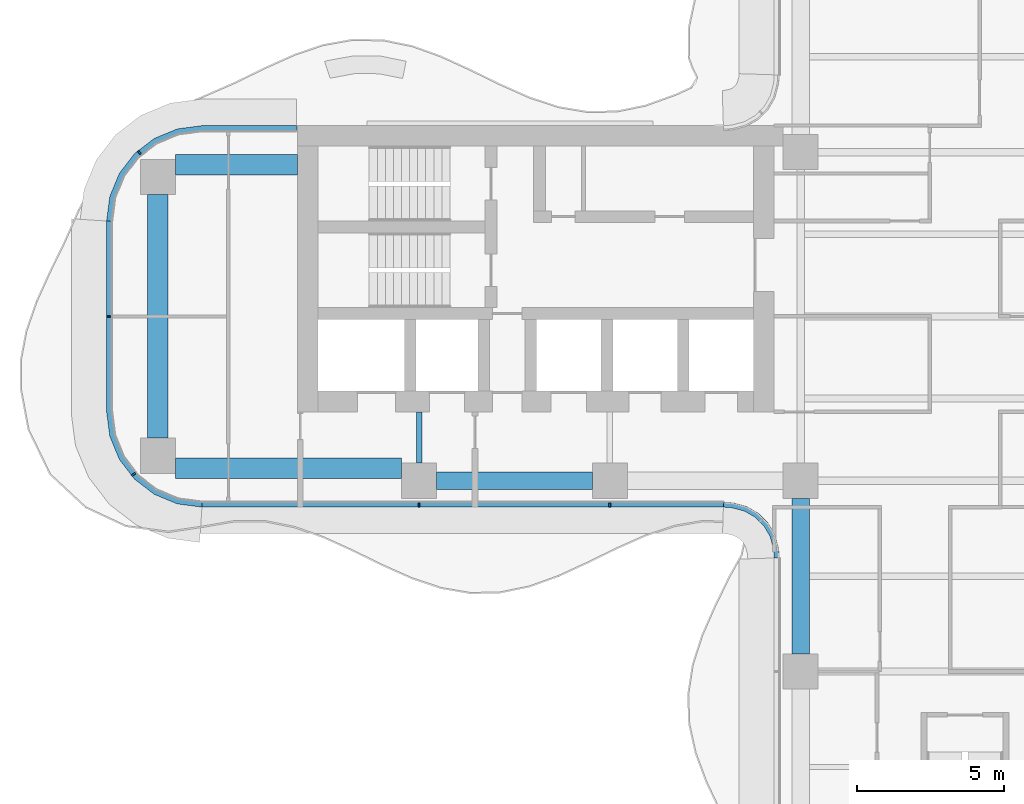
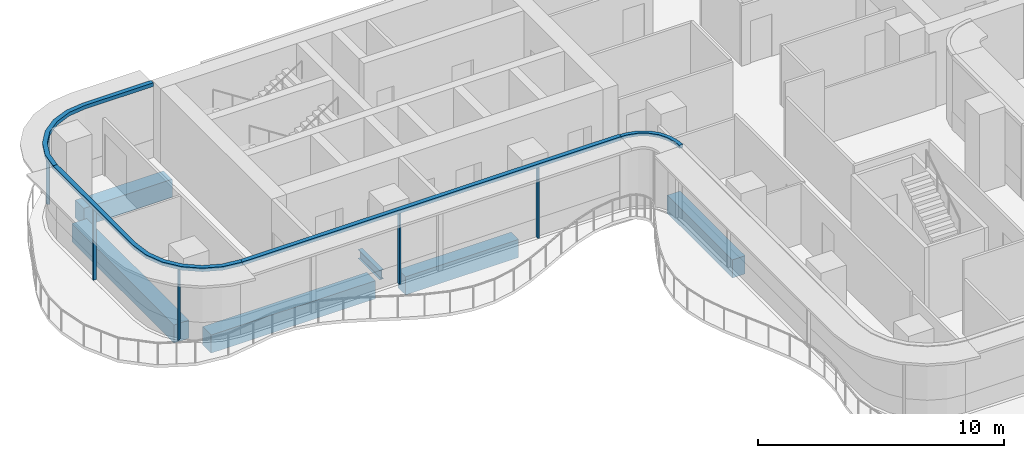
# One storey, part 3 of 17: 9 members, 6 beams, 4 elements without a shape of their own.
"""IFC4 building model written with IfcOpenShell, lengths in metres."""

import ifcopenshell
import ifcopenshell.guid

model = None  # the IFC model being written
_history = None  # IfcOwnerHistory: only IFC2X3 demands one
_inside = {}  # id of a spatial element -> (the spatial element, [elements in it])
_under = {}  # id of a project, library or spatial element -> (it, [spatial elements below it])
_declared = {}  # id of a project -> (the project, [libraries it declares])
_typed = {}  # id of a type object -> (the type object, [elements of that type])
_made_of = {}  # id of a material, layer set ... -> (it, [elements and type objects made of it])


def new_model(schema):
    """Start an empty IFC model of exactly this schema.

    Asked for "IFC4X3", IfcOpenShell would pick the latest addendum, in which some entities
    have other attributes; the version numbers below select the first issue.
    IFC2X3 requires an IfcOwnerHistory on every rooted entity: one is made here for all.
    """
    global model, _history
    if schema == "IFC4X3":
        model = ifcopenshell.file(schema_version=(4, 3, 0, 0))
    else:
        model = ifcopenshell.file(schema=schema)
    _inside.clear()
    _under.clear()
    _declared.clear()
    _typed.clear()
    _made_of.clear()
    _history = None
    if model.schema == "IFC2X3":
        org = make("IfcOrganization", Name="unknown")
        user = make(
            "IfcPersonAndOrganization",
            ThePerson=make("IfcPerson", FamilyName="unknown"),
            TheOrganization=org,
        )
        app = make(
            "IfcApplication",
            ApplicationDeveloper=org,
            Version="unknown",
            ApplicationFullName="unknown",
            ApplicationIdentifier="unknown",
        )
        _history = make(
            "IfcOwnerHistory",
            OwningUser=user,
            OwningApplication=app,
            ChangeAction="ADDED",
            CreationDate=0,
        )
    return model


def make(cls, **values):
    """One entity of the class cls with the attributes given. An attribute that is None is left unset."""
    return model.create_entity(
        cls, **{name: value for name, value in values.items() if value is not None}
    )


def rooted(cls, **values):
    """An entity with a GlobalId (a new one), such as an element, a storey or a relation."""
    return make(cls, GlobalId=ifcopenshell.guid.new(), OwnerHistory=_history, **values)


def si_unit(unit_type, name, prefix=None):
    """IfcSIUnit, for example si_unit("LENGTHUNIT", "METRE", prefix="MILLI")."""
    return make("IfcSIUnit", UnitType=unit_type, Prefix=prefix, Name=name)


def assignment(units):
    """IfcUnitAssignment: the units of a project."""
    return None if units is None else make("IfcUnitAssignment", Units=units)


def point(xyz):
    """IfcCartesianPoint."""
    return None if xyz is None else make("IfcCartesianPoint", Coordinates=xyz)


def direction(xyz):
    """IfcDirection."""
    return None if xyz is None else make("IfcDirection", DirectionRatios=xyz)


def frame(location, z_axis=None, x_axis=None):
    """IfcAxis2Placement3D, a coordinate frame: its origin and axes. An axis left out is left unset."""
    return make(
        "IfcAxis2Placement3D",
        Location=point(location),
        Axis=direction(z_axis),
        RefDirection=direction(x_axis),
    )


def frame_2d(location, x_axis=None):
    """IfcAxis2Placement2D, a coordinate frame in the plane: its origin and x axis."""
    return make(
        "IfcAxis2Placement2D", Location=point(location), RefDirection=direction(x_axis)
    )


def origin():
    """The frame at (0, 0, 0) with its axes left unset."""
    return frame((0.0, 0.0, 0.0))


def origin_2d():
    """The frame at (0, 0) in the plane with its x axis left unset."""
    return frame_2d((0.0, 0.0))


def place(relative_to, where):
    """IfcLocalPlacement: puts the frame where relative to a parent placement (None: the world)."""
    return make(
        "IfcLocalPlacement", PlacementRelTo=relative_to, RelativePlacement=where
    )


def context(
    kind, dimensions, precision=None, world=None, true_north=None, identifier=None
):
    """IfcGeometricRepresentationContext, for example the 3D "Model" context."""
    return make(
        "IfcGeometricRepresentationContext",
        ContextIdentifier=identifier,
        ContextType=kind,
        CoordinateSpaceDimension=dimensions,
        Precision=precision,
        WorldCoordinateSystem=world,
        TrueNorth=true_north,
    )


def subcontext(parent, identifier, kind, view, scale=None):
    """IfcGeometricRepresentationSubContext, for example "Body" below "Model"."""
    return make(
        "IfcGeometricRepresentationSubContext",
        ContextIdentifier=identifier,
        ContextType=kind,
        ParentContext=parent,
        TargetScale=scale,
        TargetView=view,
    )


def project(units=None, contexts=None):
    """IfcProject with its units and contexts."""
    return rooted(
        "IfcProject",
        Name="project",
        RepresentationContexts=contexts,
        UnitsInContext=assignment(units),
    )


def spatial(cls, under=None, at=None, **own):
    """A site, building, storey or space (cls), placed at a placement, below another one or the project."""
    s = rooted(cls, ObjectPlacement=at, **own)
    if under is not None:
        _under.setdefault(under.id(), (under, []))[1].append(s)
    return s


def polyline(points):
    """IfcPolyline through the points."""
    return make("IfcPolyline", Points=[point(p) for p in points])


def profile(cls, at=None, kind="AREA", **sizes):
    """A parametric profile (cls). Its sizes go by their IFC names, for example OverallWidth=200.0."""
    return make(cls, ProfileType=kind, Position=at, **sizes)


def rectangle(**sizes):
    """IfcRectangleProfileDef."""
    return profile("IfcRectangleProfileDef", **sizes)


def i_section(**sizes):
    """IfcIShapeProfileDef."""
    return profile("IfcIShapeProfileDef", **sizes)


def outline(outer, holes=None, kind="AREA"):
    """IfcArbitraryClosedProfileDef: a profile drawn as a closed curve; with holes, ...WithVoids."""
    if holes is None:
        return make("IfcArbitraryClosedProfileDef", ProfileType=kind, OuterCurve=outer)
    return make(
        "IfcArbitraryProfileDefWithVoids",
        ProfileType=kind,
        OuterCurve=outer,
        InnerCurves=holes,
    )


def extrude(swept, where, along, depth):
    """IfcExtrudedAreaSolid: the profile swept, set in the frame where, extruded along a direction by depth."""
    return make(
        "IfcExtrudedAreaSolid",
        SweptArea=swept,
        Position=where,
        ExtrudedDirection=direction(along),
        Depth=depth,
    )


def shape(context_of_items, identifier, shape_type, items):
    """IfcShapeRepresentation: the items that make up one representation, for example the "Body"."""
    return make(
        "IfcShapeRepresentation",
        ContextOfItems=context_of_items,
        RepresentationIdentifier=identifier,
        RepresentationType=shape_type,
        Items=items,
    )


def source(mapping_origin, context_of_items, identifier, shape_type, items):
    """IfcRepresentationMap: a shape defined once, which mapped items show again and again."""
    return make(
        "IfcRepresentationMap",
        MappingOrigin=mapping_origin,
        MappedRepresentation=shape(context_of_items, identifier, shape_type, items),
    )


def transform(
    local_origin,
    x_axis=None,
    y_axis=None,
    z_axis=None,
    scale=None,
    scale2=None,
    scale3=None,
    uniform=True,
):
    """IfcCartesianTransformationOperator3D, or its non-uniform kind. x_axis, y_axis, z_axis: its Axis1, 2, 3."""
    if uniform:
        return make(
            "IfcCartesianTransformationOperator3D",
            Axis1=direction(x_axis),
            Axis2=direction(y_axis),
            LocalOrigin=point(local_origin),
            Scale=scale,
            Axis3=direction(z_axis),
        )
    return make(
        "IfcCartesianTransformationOperator3DnonUniform",
        Axis1=direction(x_axis),
        Axis2=direction(y_axis),
        LocalOrigin=point(local_origin),
        Scale=scale,
        Axis3=direction(z_axis),
        Scale2=scale2,
        Scale3=scale3,
    )


def mapped(mapping_source, mapping_target):
    """IfcMappedItem: shows the shape of a source again, moved by a transform."""
    return make(
        "IfcMappedItem", MappingSource=mapping_source, MappingTarget=mapping_target
    )


def material(Name=None, Category=None):
    """IfcMaterial."""
    return make("IfcMaterial", Name=Name, Category=Category)


def layer(
    of_material, thickness, ventilated=None, Name=None, Category=None, Priority=None
):
    """IfcMaterialLayer: one layer of a wall or slab, of a material (None: an air gap)."""
    return make(
        "IfcMaterialLayer",
        Material=of_material,
        LayerThickness=thickness,
        IsVentilated=ventilated,
        Name=Name,
        Category=Category,
        Priority=Priority,
    )


def layer_set(layers, Name=None):
    """IfcMaterialLayerSet."""
    return make("IfcMaterialLayerSet", MaterialLayers=layers, LayerSetName=Name)


def material_profile(
    of_material, cross_section, Name=None, Category=None, Priority=None
):
    """IfcMaterialProfile: a cross section and its material."""
    return make(
        "IfcMaterialProfile",
        Name=Name,
        Material=of_material,
        Profile=cross_section,
        Priority=Priority,
        Category=Category,
    )


def profile_set(profiles, Name=None, composite=None):
    """IfcMaterialProfileSet."""
    return make(
        "IfcMaterialProfileSet",
        Name=Name,
        MaterialProfiles=profiles,
        CompositeProfile=composite,
    )


def made_of(thing, what):
    """Note that an element or type object is made of a material, layer set ...; save() writes the relation."""
    if what is not None:
        _made_of.setdefault(what.id(), (what, []))[1].append(thing)
    return thing


def type_object(cls, material=None, **own):
    """A type object (cls), such as IfcWallType, which elements share."""
    return made_of(rooted(cls, **own), material)


def element(
    cls,
    number,
    at=None,
    inside=None,
    cuts=None,
    type_object=None,
    material=None,
    context=None,
    identifier="Body",
    shape_type=None,
    held_by="IfcProductDefinitionShape",
    body=None,
    shapes=None,
    **own,
):
    """One element of the class cls, such as IfcWall. Its Tag is "e" and its number.

    at: its placement. inside: the storey or other place that contains it. cuts: it is an
    opening in that element (IfcRelVoidsElement). A single representation is given by context,
    identifier, shape_type and body (its items); several are given by shapes. held_by: the class
    of the entity that holds the representations. save() writes the other relations.
    """
    e = rooted(cls, Tag="e%d" % number, ObjectPlacement=at, **own)
    if body is not None:
        shapes = [shape(context, identifier, shape_type, body)]
    if shapes is not None:
        e.Representation = make(held_by, Representations=shapes)
    if inside is not None:
        _inside.setdefault(inside.id(), (inside, []))[1].append(e)
    if cuts is not None:
        rooted(
            "IfcRelVoidsElement", RelatingBuildingElement=cuts, RelatedOpeningElement=e
        )
    if type_object is not None:
        _typed.setdefault(type_object.id(), (type_object, []))[1].append(e)
    return made_of(e, material)


def aggregate(whole, parts):
    """IfcRelAggregates: a whole, such as a stair, and the parts it consists of."""
    return rooted("IfcRelAggregates", RelatingObject=whole, RelatedObjects=parts)


def save(model, path):
    """Write the relations noted so far, then the file.

    IfcRelAggregates (storeys below a building ...), IfcRelContainedInSpatialStructure (elements
    in a storey), IfcRelDefinesByType, IfcRelAssociatesMaterial and IfcRelDeclares: one each for
    every whole, place, type object, material and project.
    """
    for whole, parts in _under.values():
        aggregate(whole, parts)
    for where, things in _inside.values():
        rooted(
            "IfcRelContainedInSpatialStructure",
            RelatedElements=things,
            RelatingStructure=where,
        )
    for kind, things in _typed.values():
        rooted("IfcRelDefinesByType", RelatedObjects=things, RelatingType=kind)
    for what, things in _made_of.values():
        rooted("IfcRelAssociatesMaterial", RelatedObjects=things, RelatingMaterial=what)
    for by, libraries in _declared.values():
        rooted("IfcRelDeclares", RelatingContext=by, RelatedDefinitions=libraries)
    model.write(path)


model = new_model("IFC4")

# Units and contexts
model_context = context("Model", 3, precision=1e-05, world=origin(), true_north=direction((0.0, 1.0)))
body_context = subcontext(model_context, "Body", "Model", "MODEL_VIEW")
ifc_project = project(units=[si_unit("LENGTHUNIT", "METRE"), si_unit("AREAUNIT", "SQUARE_METRE"), si_unit("VOLUMEUNIT", "CUBIC_METRE"), si_unit("PLANEANGLEUNIT", "RADIAN"), si_unit("MASSUNIT", "GRAM", prefix="KILO")], contexts=[model_context])

# Site, building, storey
site_placement = place(None, origin())
site = spatial("IfcSite", under=ifc_project, at=site_placement, CompositionType="ELEMENT")
building_placement = place(site_placement, origin())
building = spatial("IfcBuilding", under=site, at=building_placement, Name="Trellis Farm Tower", CompositionType="ELEMENT")
storey_placement = place(building_placement, frame((0.0, 0.0, 165.89990234375)))
storey = spatial("IfcBuildingStorey", under=building, at=storey_placement, Name="L35", CompositionType="ELEMENT", Elevation=165.89990234375)

# Beams
ifc_material_1 = material(Name="Concrete C60/75", Category="concrete")
ifc_material_profile_1 = material_profile(ifc_material_1, rectangle(XDim=0.60009765625, YDim=0.89990234375, at=origin_2d()), Name="RC spandrel beam 600x900 C60/75")
ifc_profile_set_1 = profile_set([ifc_material_profile_1], Name="Concrete C60/75")
beam_type_1 = type_object("IfcBeamType", Name="RC spandrel beam 600x900 C60/75", PredefinedType="SPANDREL", material=ifc_profile_set_1)
shared_shape_1 = source(origin(), body_context, "Body", "SweptSolid", [
    extrude(rectangle(XDim=0.60009765625, YDim=0.89990234375, at=origin_2d()), origin(), (0.0, 0.0, 1.0), 5.300048828125),
])
for number, where, z_axis, x_axis, name in (
    (1, (-18.0, -5.60009765625, -0.64990234375), (1.0, 0.0, 0.0), (0.0, 1.0, 0.0), "Girder"),
    (2, (-5.60009765625, -11.5, -0.64990234375), (0.0, 1.0, 0.0), (-1.0, 0.0, 0.0), "Girder"),
):
    element("IfcBeam", number, at=place(storey_placement, frame(where, z_axis=z_axis, x_axis=x_axis)), inside=storey, type_object=beam_type_1, Name=name, PredefinedType="SPANDREL", context=body_context, shape_type="MappedRepresentation", body=[
        mapped(shared_shape_1, transform((0.0, 0.0, 0.0))),
    ])
ifc_material_profile_2 = material_profile(ifc_material_1, rectangle(XDim=0.699951171875, YDim=0.89990234375, at=origin_2d()), Name="RC spandrel beam 700x900 C60/75")
ifc_profile_set_2 = profile_set([ifc_material_profile_2], Name="Concrete C60/75")
beam_type_2 = type_object("IfcBeamType", Name="RC spandrel beam 700x900 C60/75", PredefinedType="SPANDREL", material=ifc_profile_set_2)
shared_shape_2 = source(origin(), body_context, "Body", "SweptSolid", [
    extrude(rectangle(XDim=0.699951171875, YDim=0.89990234375, at=origin_2d()), origin(), (0.0, 0.0, 1.0), 8.2998046875),
])
beam_1_placement = place(storey_placement, frame((-27.5, -4.14990234375, -0.64990234375), z_axis=(0.0, 1.0, 0.0), x_axis=(-1.0, 0.0, 0.0)))
element("IfcBeam", 3, at=beam_1_placement, inside=storey, type_object=beam_type_2, Name="Girder", PredefinedType="SPANDREL", context=body_context, shape_type="MappedRepresentation", body=[
    mapped(shared_shape_2, transform((0.0, 0.0, 0.0))),
])
ifc_material_2 = material(Name="Steel S355", Category="steel")
ifc_material_profile_3 = material_profile(ifc_material_2, i_section(OverallWidth=0.1904296875, OverallDepth=0.45703125, WebThickness=0.009033203125, FlangeThickness=0.014404296875, FilletRadius=0.01025390625, at=origin_2d()), Name="UB 457x191x74")
ifc_profile_set_3 = profile_set([ifc_material_profile_3], Name="Steel S355")
beam_type_3 = type_object("IfcBeamType", Name="UB 457x191x74", PredefinedType="BEAM", material=ifc_profile_set_3)
shared_shape_3 = source(origin(), body_context, "Body", "SweptSolid", [
    extrude(i_section(OverallWidth=0.1904296875, OverallDepth=0.45703125, WebThickness=0.009033203125, FlangeThickness=0.014404296875, FilletRadius=0.01025390625, at=origin_2d()), origin(), (0.0, 0.0, 1.0), 1.75),
])
beam_2_placement = place(storey_placement, frame((-18.60009765625, -5.0, -0.428466796875), z_axis=(0.0, 1.0, 0.0), x_axis=(-1.0, 0.0, 0.0)))
element("IfcBeam", 4, at=beam_2_placement, inside=storey, type_object=beam_type_3, Name="Girder", PredefinedType="BEAM", context=body_context, shape_type="MappedRepresentation", body=[
    mapped(shared_shape_3, transform((0.0, 0.0, 0.0))),
])
shared_shape_4 = source(origin(), body_context, "Body", "SweptSolid", [
    extrude(rectangle(XDim=0.699951171875, YDim=0.89990234375, at=origin_2d()), origin(), (0.0, 0.0, 1.0), 7.699951171875),
])
beam_3_placement = place(storey_placement, frame((-26.89990234375, -5.175048828125, -0.64990234375), z_axis=(1.0, 0.0, 0.0), x_axis=(0.0, 1.0, 0.0)))
element("IfcBeam", 5, at=beam_3_placement, inside=storey, type_object=beam_type_2, Name="Girder", PredefinedType="SPANDREL", context=body_context, shape_type="MappedRepresentation", body=[
    mapped(shared_shape_4, transform((0.0, 0.0, 0.0))),
])
shared_shape_5 = source(origin(), body_context, "Body", "SweptSolid", [
    extrude(rectangle(XDim=0.699951171875, YDim=0.89990234375, at=origin_2d()), origin(), (0.0, 0.0, 1.0), 4.14990234375),
])
beam_4_placement = place(storey_placement, frame((-26.89990234375, 5.175048828125, -0.64990234375), z_axis=(1.0, 0.0, 0.0), x_axis=(0.0, 1.0, 0.0)))
element("IfcBeam", 6, at=beam_4_placement, inside=storey, type_object=beam_type_2, Name="Girder", PredefinedType="SPANDREL", context=body_context, shape_type="MappedRepresentation", body=[
    mapped(shared_shape_5, transform((0.0, 0.0, 0.0))),
])

# Curtain wall, members
ifc_material_3 = material(Name="Aluminium and glass curtain wall", Category="aluminium")
ifc_layer_1 = layer(ifc_material_3, 0.18994140625)
ifc_layer_set_1 = layer_set([ifc_layer_1], Name="RIBBON CURTAIN WALL CW1")
curtain_wall_type_1 = type_object("IfcCurtainWallType", Name="RIBBON CURTAIN WALL CW1", PredefinedType="NOTDEFINED", material=ifc_layer_set_1)
placement_1 = place(storey_placement, origin())
curtain_wall_1 = element("IfcCurtainWall", 7, at=placement_1, inside=storey, type_object=curtain_wall_type_1, Name="CW1 001", PredefinedType="NOTDEFINED")
ifc_material_4 = material(Name="Aluminium extrusion 6063-T6", Category="aluminium")
ifc_material_profile_4 = material_profile(ifc_material_4, rectangle(XDim=0.06005859375, YDim=0.14990234375, at=origin_2d()), Name="MULLION 60x150")
ifc_profile_set_4 = profile_set([ifc_material_profile_4], Name="Aluminium extrusion 6063-T6")
member_type_1 = type_object("IfcMemberType", Name="CW1 MULLION 60x150", PredefinedType="MULLION", material=ifc_profile_set_4)
shared_shape_6 = source(origin(), body_context, "Body", "SweptSolid", [
    extrude(rectangle(XDim=0.06005859375, YDim=0.14990234375, at=origin_2d()), origin(), (0.0, 0.0, 1.0), 3.52001953125),
])
member_1_placement = place(storey_placement, frame((-18.60009765625, -6.425048828125, 0.0), z_axis=(0.0, 0.0, 1.0), x_axis=(1.0, 0.0, 0.0)))
member_1 = element("IfcMember", 8, at=member_1_placement, type_object=member_type_1, Name="MU1 001-01", PredefinedType="MULLION", context=body_context, shape_type="MappedRepresentation", body=[
    mapped(shared_shape_6, transform((0.0, 0.0, 0.0))),
])
member_2_placement = place(storey_placement, frame((-12.10009765625, -6.425048828125, 0.0), z_axis=(0.0, 0.0, 1.0), x_axis=(1.0, 0.0, 0.0)))
member_2 = element("IfcMember", 9, at=member_2_placement, type_object=member_type_1, Name="MU1 001-02", PredefinedType="MULLION", context=body_context, shape_type="MappedRepresentation", body=[
    mapped(shared_shape_6, transform((0.0, 0.0, 0.0))),
])

# Curtain wall, member
curtain_wall_2 = element("IfcCurtainWall", 10, at=placement_1, inside=storey, type_object=curtain_wall_type_1, Name="CW1 012", PredefinedType="NOTDEFINED")
member_3_placement = place(storey_placement, frame((-28.135498046875, 5.578369140625, 0.0), z_axis=(0.0, 0.0, 1.0), x_axis=(-0.793353340291, -0.608761429009, 0.0)))
member_3 = element("IfcMember", 11, at=member_3_placement, type_object=member_type_1, Name="MU1 012-01", PredefinedType="MULLION", context=body_context, shape_type="MappedRepresentation", body=[
    mapped(shared_shape_6, transform((0.0, 0.0, 0.0))),
])

# Curtain wall, members
curtain_wall_3 = element("IfcCurtainWall", 12, at=placement_1, inside=storey, type_object=curtain_wall_type_1, Name="CW1 013", PredefinedType="NOTDEFINED")
member_4_placement = place(storey_placement, frame((-29.175048828125, 0.0, 0.0), z_axis=(0.0, 0.0, 1.0), x_axis=(0.0, -1.0, 0.0)))
member_4 = element("IfcMember", 13, at=member_4_placement, type_object=member_type_1, Name="MU1 013-01", PredefinedType="MULLION", context=body_context, shape_type="MappedRepresentation", body=[
    mapped(shared_shape_6, transform((0.0, 0.0, 0.0))),
])
member_5_placement = place(storey_placement, frame((-28.328369140625, -5.385498046875, 0.0), z_axis=(0.0, 0.0, 1.0), x_axis=(0.608761429009, -0.793353340291, 0.0)))
member_5 = element("IfcMember", 14, at=member_5_placement, type_object=member_type_1, Name="MU1 013-02", PredefinedType="MULLION", context=body_context, shape_type="MappedRepresentation", body=[
    mapped(shared_shape_6, transform((0.0, 0.0, 0.0))),
])

# Curtain wall, member
ifc_layer_2 = layer(ifc_material_3, 0.166015625)
ifc_layer_set_2 = layer_set([ifc_layer_2], Name="WINTER GARDEN CURTAIN WALL CW3")
curtain_wall_type_2 = type_object("IfcCurtainWallType", Name="WINTER GARDEN CURTAIN WALL CW3", PredefinedType="NOTDEFINED", material=ifc_layer_set_2)
curtain_wall_4 = element("IfcCurtainWall", 15, at=placement_1, inside=storey, type_object=curtain_wall_type_2, Name="CW3 001", PredefinedType="NOTDEFINED")
ifc_layer_3 = layer(ifc_material_4, 0.169921875)
ifc_layer_set_3 = layer_set([ifc_layer_3], Name="Aluminium extrusion 6063-T6")
member_type_2 = type_object("IfcMemberType", Name="CW3 TRANSOM 170x150", PredefinedType="USERDEFINED", material=ifc_layer_set_3)
shared_shape_7 = source(origin(), body_context, "Body", "SweptSolid", [
    extrude(outline(polyline([(-8.2314453125, -6.5), (-8.01953125, -6.513916015625), (-7.91552734375, -6.527587890625), (-7.508544921875, -6.63671875), (-7.144287109375, -6.846923828125), (-6.846923828125, -7.144287109375), (-6.63671875, -7.508544921875), (-6.527587890625, -7.91552734375), (-6.513916015625, -8.01953125), (-6.5, -8.2314453125), (-6.330078125, -8.225830078125), (-6.3447265625, -8.0029296875), (-6.360595703125, -7.88232421875), (-6.478271484375, -7.44287109375), (-6.7109375, -7.0400390625), (-7.0400390625, -6.7109375), (-7.44287109375, -6.478271484375), (-7.88232421875, -6.360595703125), (-8.0029296875, -6.3447265625), (-8.225830078125, -6.330078125), (-8.2314453125, -6.5)])), origin(), (0.0, 0.0, 1.0), 0.150146484375),
])
member_6_placement = place(storey_placement, frame((0.0, 0.0, 3.550048828125)))
member_6 = element("IfcMember", 16, at=member_6_placement, type_object=member_type_2, Name="TR3 001", ObjectType="TRANSOM", PredefinedType="USERDEFINED", context=body_context, shape_type="MappedRepresentation", body=[
    mapped(shared_shape_7, transform((0.0, 0.0, 0.0))),
])
aggregate(curtain_wall_4, [member_6])

# Member
ifc_layer_4 = layer(ifc_material_4, 0.199951171875)
ifc_layer_set_4 = layer_set([ifc_layer_4], Name="Aluminium extrusion 6063-T6")
member_type_3 = type_object("IfcMemberType", Name="CW1 TRANSOM 200x180", PredefinedType="USERDEFINED", material=ifc_layer_set_4)
shared_shape_8 = source(origin(), body_context, "Body", "SweptSolid", [
    extrude(outline(polyline([(-26.0, -6.5), (-8.2314453125, -6.5), (-8.224853515625, -6.300048828125), (-25.98681640625, -6.300048828125), (-26.0, -6.5)])), origin(), (0.0, 0.0, 1.0), 0.18017578125),
])
placement_2 = place(storey_placement, frame((0.0, 0.0, 3.52001953125)))
member_7 = element("IfcMember", 17, at=placement_2, type_object=member_type_3, Name="TR1 001", ObjectType="TRANSOM", PredefinedType="USERDEFINED", context=body_context, shape_type="MappedRepresentation", body=[
    mapped(shared_shape_8, transform((0.0, 0.0, 0.0))),
])

aggregate(curtain_wall_1, [member_1, member_2, member_7])

shared_shape_9 = source(origin(), body_context, "Body", "SweptSolid", [
    extrude(outline(polyline([(-22.780029296875, 6.5), (-26.0, 6.5), (-26.841064453125, 6.38916015625), (-27.625, 6.064697265625), (-28.298095703125, 5.548095703125), (-28.814697265625, 4.875), (-29.13916015625, 4.091064453125), (-29.25, 3.25), (-29.050048828125, 3.23681640625), (-28.9443359375, 4.0390625), (-28.639892578125, 4.774169921875), (-28.155517578125, 5.405517578125), (-27.524169921875, 5.889892578125), (-26.7890625, 6.1943359375), (-25.98681640625, 6.300048828125), (-22.780029296875, 6.300048828125), (-22.780029296875, 6.5)])), origin(), (0.0, 0.0, 1.0), 0.18017578125),
])
member_8 = element("IfcMember", 18, at=placement_2, type_object=member_type_3, Name="TR1 012", ObjectType="TRANSOM", PredefinedType="USERDEFINED", context=body_context, shape_type="MappedRepresentation", body=[
    mapped(shared_shape_9, transform((0.0, 0.0, 0.0))),
])

aggregate(curtain_wall_2, [member_3, member_8])

shared_shape_10 = source(origin(), body_context, "Body", "SweptSolid", [
    extrude(outline(polyline([(-29.25, 3.25), (-29.25, -3.25), (-29.13916015625, -4.091064453125), (-28.814697265625, -4.875), (-28.298095703125, -5.548095703125), (-27.625, -6.064697265625), (-26.841064453125, -6.38916015625), (-26.0, -6.5), (-25.98681640625, -6.300048828125), (-26.7890625, -6.1943359375), (-27.524169921875, -5.889892578125), (-28.155517578125, -5.405517578125), (-28.639892578125, -4.774169921875), (-28.9443359375, -4.0390625), (-29.050048828125, -3.23681640625), (-29.050048828125, 3.23681640625), (-29.25, 3.25)])), origin(), (0.0, 0.0, 1.0), 0.18017578125),
])
member_9 = element("IfcMember", 19, at=placement_2, type_object=member_type_3, Name="TR1 013", ObjectType="TRANSOM", PredefinedType="USERDEFINED", context=body_context, shape_type="MappedRepresentation", body=[
    mapped(shared_shape_10, transform((0.0, 0.0, 0.0))),
])

aggregate(curtain_wall_3, [member_4, member_5, member_9])

save(model, "model.ifc")
